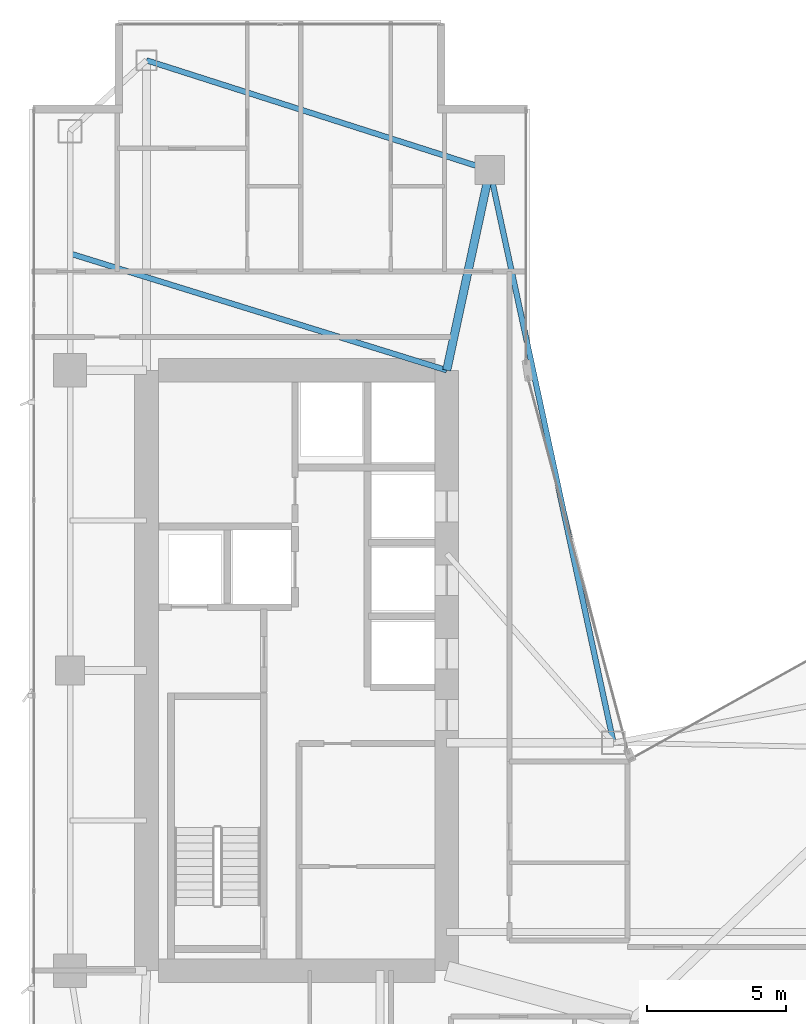
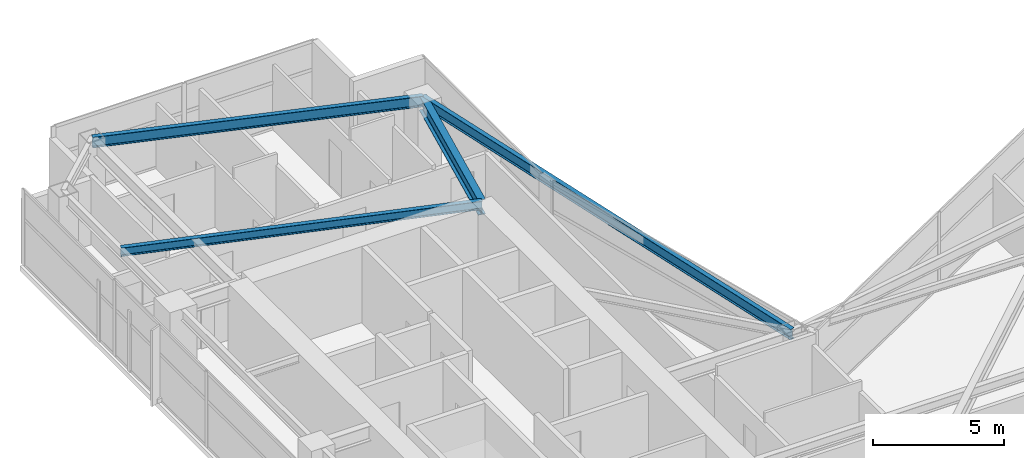
# One storey, part 17 of 29: 4 beams.
"""IFC4 building model written with IfcOpenShell, lengths in metres."""

from ifc_helpers import new_model, si_unit, direction, frame, origin, origin_2d, place, context, subcontext, project, spatial, i_section, extrude, material, material_profile, profile_set, type_object, element, save


model = new_model("IFC4")

# Units and contexts
model_context = context("Model", 3, precision=1e-05, world=origin(), true_north=direction((0.0, 1.0)))
body_context = subcontext(model_context, "Body", "Model", "MODEL_VIEW")
ifc_project = project(units=[si_unit("LENGTHUNIT", "METRE"), si_unit("AREAUNIT", "SQUARE_METRE"), si_unit("VOLUMEUNIT", "CUBIC_METRE"), si_unit("PLANEANGLEUNIT", "RADIAN"), si_unit("MASSUNIT", "GRAM", prefix="KILO")], contexts=[model_context])

# Site, building, storey
site_placement = place(None, origin())
site = spatial("IfcSite", under=ifc_project, at=site_placement, CompositionType="ELEMENT")
building_placement = place(site_placement, origin())
building = spatial("IfcBuilding", under=site, at=building_placement, Name="Calvorn Quay Hotel", CompositionType="ELEMENT")
storey_placement = place(building_placement, frame((0.0, 0.0, 105.0)))
storey = spatial("IfcBuildingStorey", under=building, at=storey_placement, Name="L25", CompositionType="ELEMENT", Elevation=105.0)

# Beams
ifc_material_1 = material(Name="Steel Q390GJC", Category="steel")
ifc_material_profile_1 = material_profile(ifc_material_1, i_section(OverallWidth=0.300048828125, OverallDepth=0.699951171875, WebThickness=0.012939453125, FlangeThickness=0.02392578125, FilletRadius=0.02392578125, at=origin_2d()), Name="HN700x300x13x24")
ifc_profile_set_1 = profile_set([ifc_material_profile_1], Name="Steel Q390GJC")
beam_type_1 = type_object("IfcBeamType", Name="BM-GIRD-MAIN", PredefinedType="BEAM", material=ifc_profile_set_1)
beam_1_placement = place(storey_placement, frame((16.550048828125, 45.60009765625, 3.18994140625), z_axis=(-0.210457140491, -0.97760308511, 0.0), x_axis=(0.97760308511, -0.210457140491, 0.0)))
element("IfcBeam", 1, at=beam_1_placement, inside=storey, type_object=beam_type_1, Name="Beam BG-L25-W6", PredefinedType="BEAM", context=body_context, shape_type="SweptSolid", body=[
    extrude(i_section(OverallWidth=0.300048828125, OverallDepth=0.699951171875, WebThickness=0.012939453125, FlangeThickness=0.02392578125, FilletRadius=0.02392578125, at=origin_2d()), origin(), (0.0, 0.0, 1.0), 7.365234375),
])
ifc_material_2 = material(Name="Steel Q355B", Category="steel")
ifc_material_profile_2 = material_profile(ifc_material_2, i_section(OverallWidth=0.199951171875, OverallDepth=0.39990234375, WebThickness=0.008056640625, FlangeThickness=0.012939453125, FilletRadius=0.01611328125, at=origin_2d()), Name="HN400x200x8x13")
ifc_profile_set_2 = profile_set([ifc_material_profile_2], Name="Steel Q355B")
beam_type_2 = type_object("IfcBeamType", Name="BM-JOIST-TYP", PredefinedType="JOIST", material=ifc_profile_set_2)
beam_2_placement = place(storey_placement, frame((1.449951171875, 42.60009765625, 3.340087890625), z_axis=(0.955163702122, -0.296078202759, 0.0), x_axis=(0.296078202759, 0.955163702122, 0.0)))
element("IfcBeam", 2, at=beam_2_placement, inside=storey, type_object=beam_type_2, Name="Beam BJ-L25-W2", PredefinedType="JOIST", context=body_context, shape_type="SweptSolid", body=[
    extrude(i_section(OverallWidth=0.199951171875, OverallDepth=0.39990234375, WebThickness=0.008056640625, FlangeThickness=0.012939453125, FilletRadius=0.01611328125, at=origin_2d()), origin(), (0.0, 0.0, 1.0), 14.18603515625),
])
ifc_material_3 = material(Name="Steel Q355B", Category="steel")
ifc_material_profile_3 = material_profile(ifc_material_3, i_section(OverallWidth=0.199951171875, OverallDepth=0.5, WebThickness=0.010009765625, FlangeThickness=0.01611328125, FilletRadius=0.01611328125, at=origin_2d()), Name="HN500x200x10x16")
ifc_profile_set_3 = profile_set([ifc_material_profile_3], Name="Steel Q355B")
beam_type_3 = type_object("IfcBeamType", Name="BM-SPANDREL-Z1", PredefinedType="SPANDREL", material=ifc_profile_set_3)
beam_3_placement = place(storey_placement, frame((4.199951171875, 49.550048828125, 3.2900390625), z_axis=(0.952470702374, -0.304630203885, 0.0), x_axis=(0.304630203885, 0.952470702374, 0.0)))
element("IfcBeam", 3, at=beam_3_placement, inside=storey, type_object=beam_type_3, Name="Beam BSP-L25-W6", PredefinedType="SPANDREL", context=body_context, shape_type="SweptSolid", body=[
    extrude(i_section(OverallWidth=0.199951171875, OverallDepth=0.5, WebThickness=0.010009765625, FlangeThickness=0.01611328125, FilletRadius=0.01611328125, at=origin_2d()), origin(), (0.0, 0.0, 1.0), 12.96630859375),
])
beam_4_placement = place(storey_placement, frame((16.550048828125, 45.60009765625, 3.2900390625), z_axis=(0.211145848376, -0.977454567084, 0.0), x_axis=(0.977454567084, 0.211145848376, 0.0)))
element("IfcBeam", 4, at=beam_4_placement, inside=storey, type_object=beam_type_3, Name="Beam BSP-L25-W7", PredefinedType="SPANDREL", context=body_context, shape_type="SweptSolid", body=[
    extrude(i_section(OverallWidth=0.199951171875, OverallDepth=0.5, WebThickness=0.010009765625, FlangeThickness=0.01611328125, FilletRadius=0.01611328125, at=origin_2d()), origin(), (0.0, 0.0, 1.0), 21.0751953125),
])

save(model, "model.ifc")
